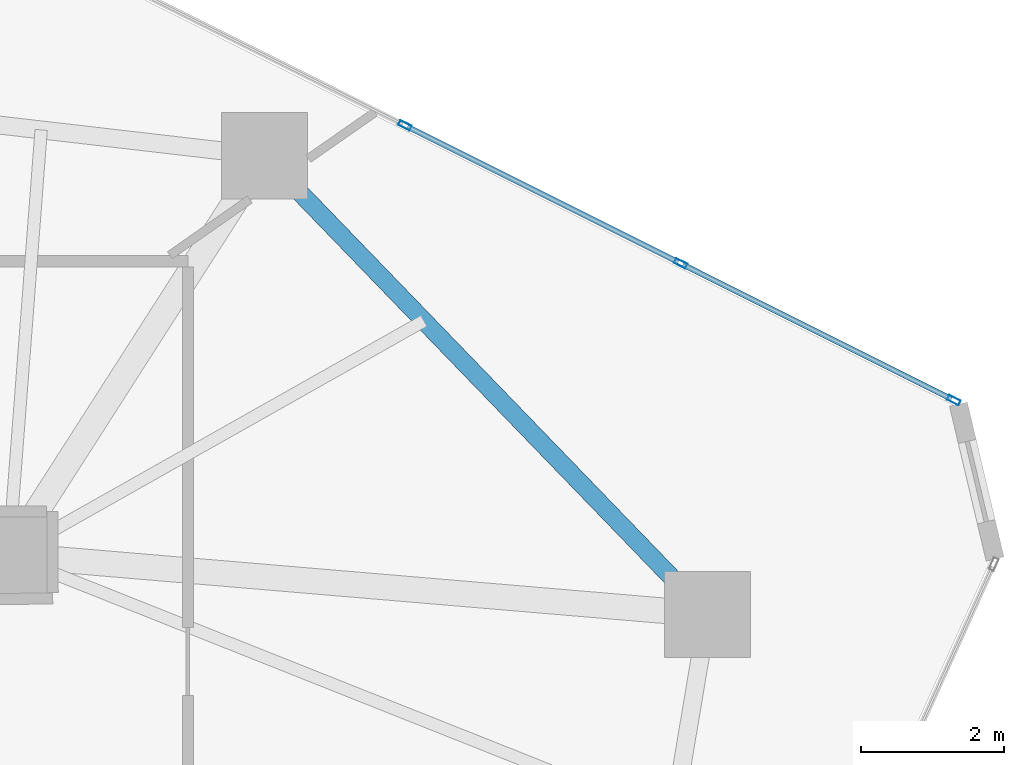
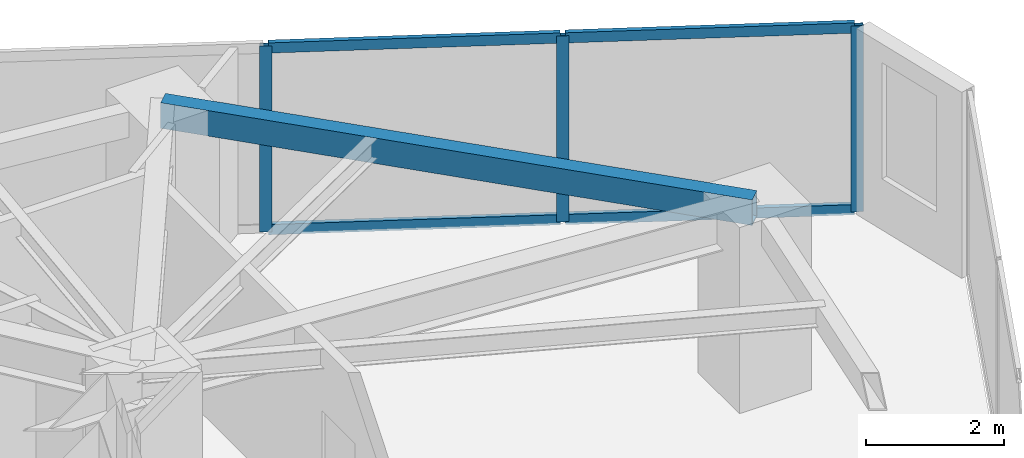
# One storey, part 15 of 22: 7 members, 1 beam, 1 element without a shape of its own.
"""IFC4 building model written with IfcOpenShell, lengths in metres."""

from ifc_helpers import new_model, si_unit, direction, frame, origin, origin_2d, place, context, subcontext, project, spatial, hollow_rectangle, extrude, source, transform, mapped, material, layer, layer_set, material_profile, profile_set, type_object, type_shapes, element, aggregate, save


model = new_model("IFC4")

# Units and contexts
model_context = context("Model", 3, precision=1e-05, world=origin(), true_north=direction((0.0, 1.0)))
body_context = subcontext(model_context, "Body", "Model", "MODEL_VIEW")
ifc_project = project(units=[si_unit("LENGTHUNIT", "METRE"), si_unit("AREAUNIT", "SQUARE_METRE"), si_unit("VOLUMEUNIT", "CUBIC_METRE"), si_unit("PLANEANGLEUNIT", "RADIAN"), si_unit("MASSUNIT", "GRAM", prefix="KILO")], contexts=[model_context])

# Site, building, storey
site_placement = place(None, origin())
site = spatial("IfcSite", under=ifc_project, at=site_placement, CompositionType="ELEMENT")
building_placement = place(site_placement, origin())
building = spatial("IfcBuilding", under=site, at=building_placement, Name="Talar Marvaseh", CompositionType="ELEMENT")
storey_placement = place(building_placement, frame((0.0, 0.0, 154.199951171875)))
storey = spatial("IfcBuildingStorey", under=building, at=storey_placement, Name="L40", CompositionType="ELEMENT", Elevation=154.199951171875)

# Beam
ifc_material_1 = material(Name="Steel S355", Category="steel")
ifc_material_profile_1 = material_profile(ifc_material_1, hollow_rectangle(XDim=0.25, YDim=0.449951171875, WallThickness=0.01611328125, at=origin_2d()), Name="RHS450x250x16")
ifc_profile_set_1 = profile_set([ifc_material_profile_1], Name="Steel S355")
beam_type = type_object("IfcBeamType", Name="Zone 2 Perimeter Spandrel Beam RHS450x250x16", PredefinedType="SPANDREL", material=ifc_profile_set_1)
beam_placement = place(storey_placement, frame((36.865966796875, 42.470947265625, 3.054931640625), z_axis=(0.694796856243, -0.719206040405, 0.0), x_axis=(0.719206040405, 0.694796856243, 0.0)))
element("IfcBeam", 1, at=beam_placement, inside=storey, type_object=beam_type, Name="L40 Zone 2 Perimeter Spandrel Beam RHS450x250x16", PredefinedType="SPANDREL", context=body_context, shape_type="SweptSolid", body=[
    extrude(hollow_rectangle(XDim=0.25, YDim=0.449951171875, WallThickness=0.01611328125, at=origin_2d()), origin(), (0.0, 0.0, 1.0), 8.891845703125),
])

# Curtain wall, members
ifc_material_2 = material(Name="Architectural Aluminium", Category="aluminium")
ifc_layer = layer(ifc_material_2, 0.199951171875)
ifc_layer_set = layer_set([ifc_layer], Name="Architectural Aluminium")
curtain_wall_type = type_object("IfcCurtainWallType", Name="Unitised Acoustic Library Curtain Wall Z2", PredefinedType="NOTDEFINED", material=ifc_layer_set)
curtain_wall_placement = place(storey_placement, origin())
curtain_wall = element("IfcCurtainWall", 2, at=curtain_wall_placement, inside=storey, type_object=curtain_wall_type, Name="L40 Unitised Acoustic Library Curtain Wall Z2", PredefinedType="NOTDEFINED")
ifc_material_profile_2 = material_profile(ifc_material_2, hollow_rectangle(XDim=0.074951171875, YDim=0.179931640625, WallThickness=0.0048828125, at=origin_2d()), Name="RHS180x75x5")
ifc_profile_set_2 = profile_set([ifc_material_profile_2], Name="Architectural Aluminium")
member_type_1 = type_object("IfcMemberType", Name="Unitised Curtain Wall Transom RHS180x75x5", PredefinedType="USERDEFINED", material=ifc_profile_set_2)
shared_shape_1 = source(origin(), body_context, "Body", "SweptSolid", [
    extrude(hollow_rectangle(XDim=0.074951171875, YDim=0.179931640625, WallThickness=0.0048828125, at=origin_2d()), origin(), (0.0, 0.0, 1.0), 4.185302734375),
])
member_1_placement = place(storey_placement, frame((42.70263671875, 40.953369140625, 0.03759765625), z_axis=(0.894182059415, -0.447703523127, 0.0), x_axis=(0.447703523127, 0.894182059415, 0.0)))
member_1 = element("IfcMember", 3, at=member_1_placement, type_object=member_type_1, Name="CW-Z2 transom 4.1", ObjectType="TRANSOM", PredefinedType="USERDEFINED", context=body_context, shape_type="MappedRepresentation", body=[
    mapped(shared_shape_1, transform((0.0, 0.0, 0.0), x_axis=(1.0, 0.0, 0.0), y_axis=(0.0, 1.0, 0.0), z_axis=(0.0, 0.0, 1.0), scale=1.0)),
])
member_2_placement = place(storey_placement, frame((42.70263671875, 40.953369140625, 3.242431640625), z_axis=(0.894182059415, -0.447703523127, 0.0), x_axis=(0.447703523127, 0.894182059415, 0.0)))
member_2 = element("IfcMember", 4, at=member_2_placement, type_object=member_type_1, Name="CW-Z2 transom 4.2", ObjectType="TRANSOM", PredefinedType="USERDEFINED", context=body_context, shape_type="MappedRepresentation", body=[
    mapped(shared_shape_1, transform((0.0, 0.0, 0.0), x_axis=(1.0, 0.0, 0.0), y_axis=(0.0, 1.0, 0.0), z_axis=(0.0, 0.0, 1.0), scale=1.0)),
])
shared_shape_2 = source(origin(), body_context, "Body", "SweptSolid", [
    extrude(hollow_rectangle(XDim=0.074951171875, YDim=0.179931640625, WallThickness=0.0048828125, at=origin_2d()), origin(), (0.0, 0.0, 1.0), 4.22265625),
])
type_shapes(member_type_1, [shared_shape_1, shared_shape_2])
member_3_placement = place(storey_placement, frame((38.859619140625, 42.87744140625, 0.03759765625), z_axis=(0.894195803901, -0.44767607071, 0.0), x_axis=(0.44767607071, 0.894195803901, 0.0)))
member_3 = element("IfcMember", 5, at=member_3_placement, type_object=member_type_1, Name="CW-Z2 transom 3.1", ObjectType="TRANSOM", PredefinedType="USERDEFINED", context=body_context, shape_type="MappedRepresentation", body=[
    mapped(shared_shape_2, transform((0.0, 0.0, 0.0), x_axis=(1.0, 0.0, 0.0), y_axis=(0.0, 1.0, 0.0), z_axis=(0.0, 0.0, 1.0), scale=1.0)),
])
member_4_placement = place(storey_placement, frame((38.859619140625, 42.87744140625, 3.242431640625), z_axis=(0.894195803901, -0.44767607071, 0.0), x_axis=(0.44767607071, 0.894195803901, 0.0)))
member_4 = element("IfcMember", 6, at=member_4_placement, type_object=member_type_1, Name="CW-Z2 transom 3.2", ObjectType="TRANSOM", PredefinedType="USERDEFINED", context=body_context, shape_type="MappedRepresentation", body=[
    mapped(shared_shape_2, transform((0.0, 0.0, 0.0), x_axis=(1.0, 0.0, 0.0), y_axis=(0.0, 1.0, 0.0), z_axis=(0.0, 0.0, 1.0), scale=1.0)),
])
ifc_material_profile_3 = material_profile(ifc_material_2, hollow_rectangle(XDim=0.074951171875, YDim=0.179931640625, WallThickness=0.0048828125, at=origin_2d()), Name="RHS180x75x5")
ifc_profile_set_3 = profile_set([ifc_material_profile_3], Name="Architectural Aluminium")
member_type_2 = type_object("IfcMemberType", Name="Unitised Curtain Wall Standard Mullion RHS180x75x5", PredefinedType="MULLION", material=ifc_profile_set_3)
shared_shape_3 = source(origin(), body_context, "Body", "SweptSolid", [
    extrude(hollow_rectangle(XDim=0.074951171875, YDim=0.179931640625, WallThickness=0.0048828125, at=origin_2d()), origin(), (0.0, 0.0, 1.0), 3.280029296875),
])
type_shapes(member_type_2, [shared_shape_3])
member_5_placement = place(storey_placement, frame((38.825927734375, 42.894287109375, 0.0), z_axis=(0.0, 0.0, 1.0), x_axis=(0.447702140513, 0.894182751668, 0.0)))
member_5 = element("IfcMember", 7, at=member_5_placement, type_object=member_type_2, Name="CW-Z2 mullion 3", PredefinedType="MULLION", context=body_context, shape_type="MappedRepresentation", body=[
    mapped(shared_shape_3, transform((0.0, 0.0, 0.0), x_axis=(1.0, 0.0, 0.0), y_axis=(0.0, 1.0, 0.0), z_axis=(0.0, 0.0, 1.0), scale=1.0)),
])
member_6_placement = place(storey_placement, frame((42.669189453125, 40.97021484375, 0.0), z_axis=(0.0, 0.0, 1.0), x_axis=(0.447702140513, 0.894182751668, 0.0)))
member_6 = element("IfcMember", 8, at=member_6_placement, type_object=member_type_2, Name="CW-Z2 mullion 4", PredefinedType="MULLION", context=body_context, shape_type="MappedRepresentation", body=[
    mapped(shared_shape_3, transform((0.0, 0.0, 0.0), x_axis=(1.0, 0.0, 0.0), y_axis=(0.0, 1.0, 0.0), z_axis=(0.0, 0.0, 1.0), scale=1.0)),
])
member_7_placement = place(storey_placement, frame((46.478759765625, 39.062744140625, 0.0), z_axis=(0.0, 0.0, 1.0), x_axis=(0.447702140513, 0.894182751668, 0.0)))
member_7 = element("IfcMember", 9, at=member_7_placement, type_object=member_type_2, Name="CW-Z2 mullion 5", PredefinedType="MULLION", context=body_context, shape_type="MappedRepresentation", body=[
    mapped(shared_shape_3, transform((0.0, 0.0, 0.0), x_axis=(1.0, 0.0, 0.0), y_axis=(0.0, 1.0, 0.0), z_axis=(0.0, 0.0, 1.0), scale=1.0)),
])
aggregate(curtain_wall, [member_5, member_6, member_7, member_3, member_4, member_1, member_2])

save(model, "model.ifc")
